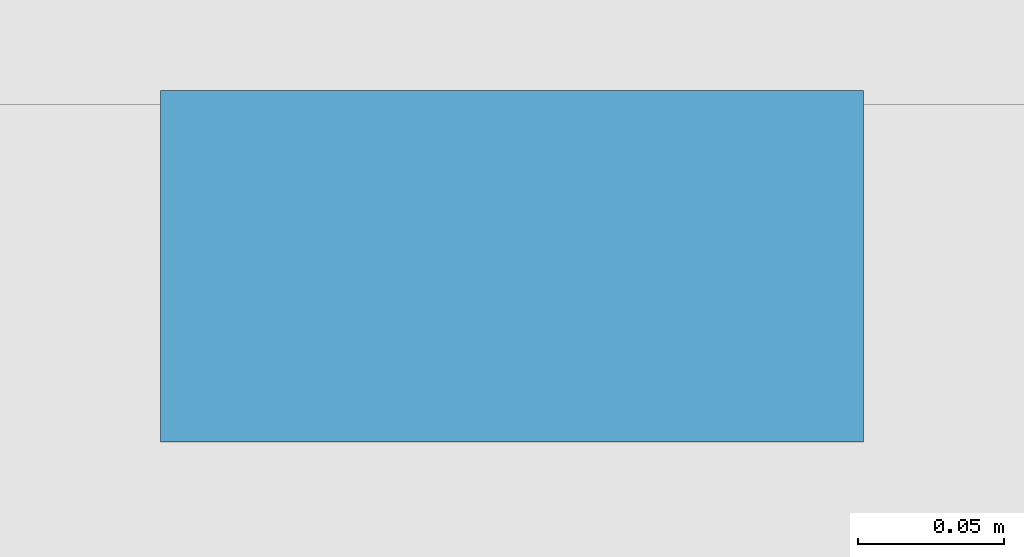
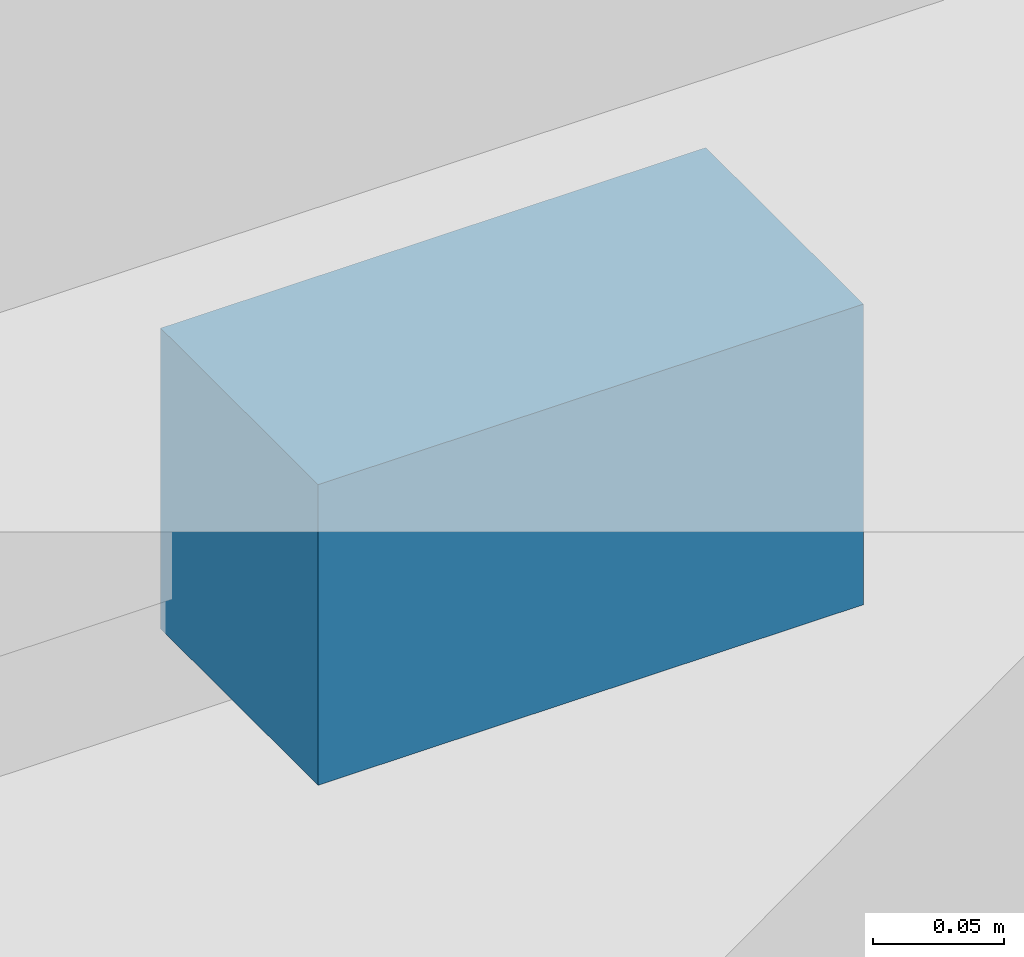
# One storey, part 57 of 81: 1 discrete accessory.
"""IFC4 building model written with IfcOpenShell, lengths in metres."""

from ifc_helpers import new_model, si_unit, direction, frame, origin, origin_2d, place, context, subcontext, project, spatial, rectangle, extrude, material, type_object, element, save


model = new_model("IFC4")

# Units and contexts
model_context = context("Model", 3, precision=1e-05, world=origin(), true_north=direction((0.0, 1.0)))
body_context = subcontext(model_context, "Body", "Model", "MODEL_VIEW")
ifc_project = project(units=[si_unit("LENGTHUNIT", "METRE"), si_unit("AREAUNIT", "SQUARE_METRE"), si_unit("VOLUMEUNIT", "CUBIC_METRE"), si_unit("PLANEANGLEUNIT", "RADIAN"), si_unit("MASSUNIT", "GRAM", prefix="KILO")], contexts=[model_context])

# Site, building, storey
site_placement = place(None, origin())
site = spatial("IfcSite", under=ifc_project, at=site_placement, CompositionType="ELEMENT")
building_placement = place(site_placement, origin())
building = spatial("IfcBuilding", under=site, at=building_placement, Name="Myrtia Square Station", CompositionType="ELEMENT")
storey_placement = place(building_placement, frame((0.0, 0.0, 10.800048828125)))
storey = spatial("IfcBuildingStorey", under=building, at=storey_placement, Name="L02", CompositionType="ELEMENT", Elevation=10.800048828125)

# Discrete accessory
ifc_material = material(Name="Steel S355", Category="steel")
discrete_accessory_type = type_object("IfcDiscreteAccessoryType", Name="ACC-BRACKET-BRONZE", PredefinedType="BRACKET", material=ifc_material)
discrete_accessory_placement = place(storey_placement, frame((120.451904296875, -0.030029296875, 3.1298828125), z_axis=(0.0, 0.0, 1.0), x_axis=(1.0, 0.0, 0.0)))
element("IfcDiscreteAccessory", 1, at=discrete_accessory_placement, inside=storey, type_object=discrete_accessory_type, Name="Solar shading fixing bracket 019", PredefinedType="BRACKET", context=body_context, shape_type="SweptSolid", body=[
    extrude(rectangle(XDim=0.239990234375, YDim=0.1201171875, at=origin_2d()), origin(), (0.0, 0.0, 1.0), 0.139892578125),
])

save(model, "model.ifc")
